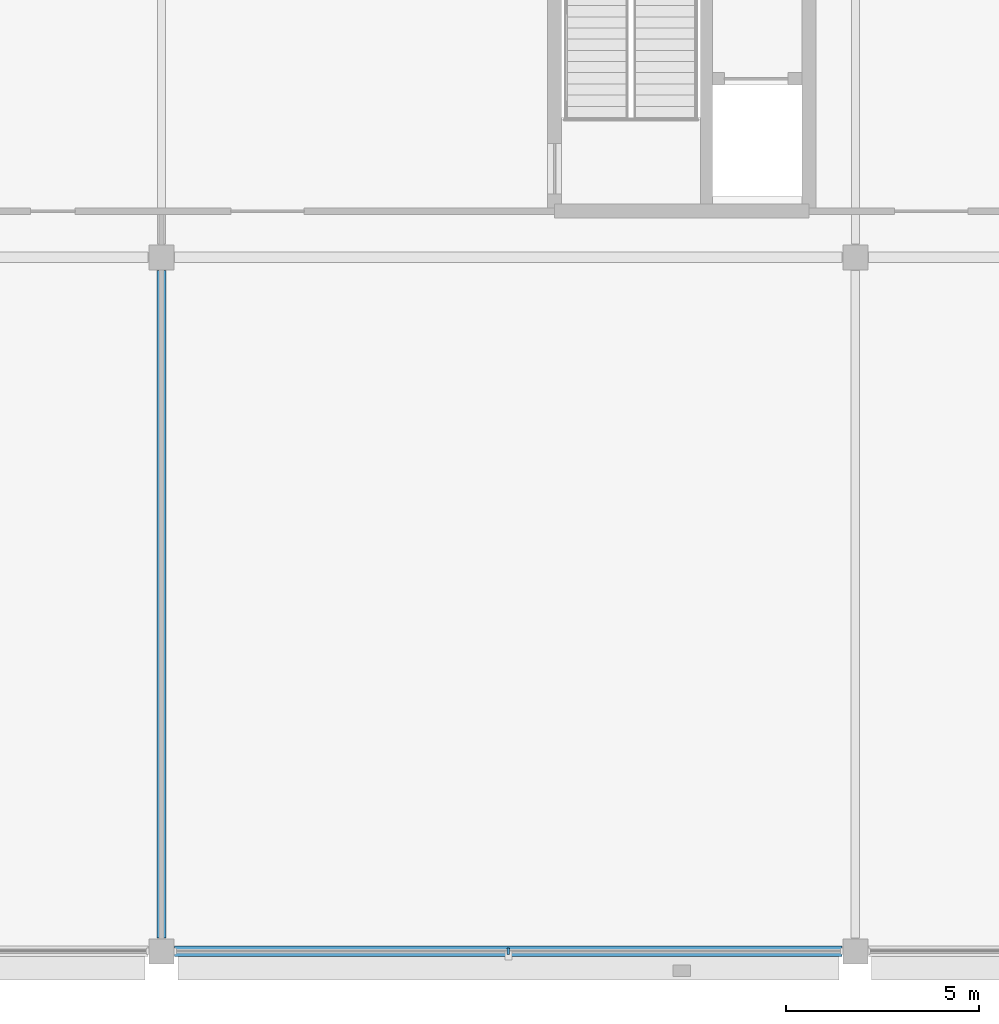
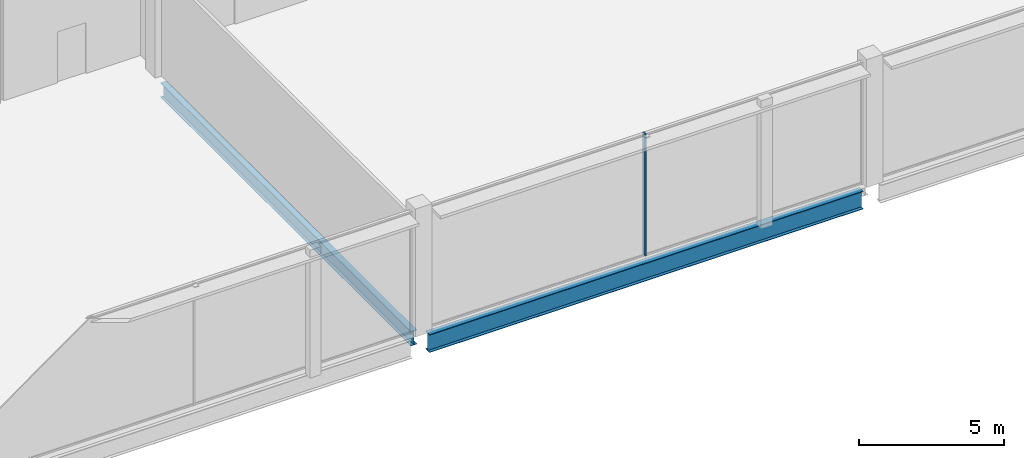
# One storey, part 22 of 113: 2 beams, 1 member, 1 element without a shape of its own.
"""IFC4 building model written with IfcOpenShell, lengths in metres."""

from ifc_helpers import new_model, si_unit, direction, frame, origin, origin_2d, place, context, subcontext, project, spatial, rectangle, i_section, extrude, material, layer, layer_set, material_profile, profile_set, type_object, element, aggregate, save


model = new_model("IFC4")

# Units and contexts
model_context = context("Model", 3, precision=1e-05, world=origin(), true_north=direction((0.0, 1.0)))
body_context = subcontext(model_context, "Body", "Model", "MODEL_VIEW")
ifc_project = project(units=[si_unit("LENGTHUNIT", "METRE"), si_unit("AREAUNIT", "SQUARE_METRE"), si_unit("VOLUMEUNIT", "CUBIC_METRE"), si_unit("PLANEANGLEUNIT", "RADIAN"), si_unit("MASSUNIT", "GRAM", prefix="KILO")], contexts=[model_context])

# Site, building, storey
site_placement = place(None, origin())
site = spatial("IfcSite", under=ifc_project, at=site_placement, CompositionType="ELEMENT")
building_placement = place(site_placement, origin())
building = spatial("IfcBuilding", under=site, at=building_placement, Name="Kisiwana Market Hall", CompositionType="ELEMENT")
storey_placement = place(building_placement, frame((0.0, 0.0, 6.0)))
storey = spatial("IfcBuildingStorey", under=building, at=storey_placement, Name="L01", CompositionType="ELEMENT", Elevation=6.0)

# Beams
ifc_material_1 = material(Name="Steel S355", Category="steel")
ifc_material_profile_1 = material_profile(ifc_material_1, i_section(OverallWidth=0.22900390625, OverallDepth=0.6123046875, WebThickness=0.011962890625, FlangeThickness=0.01953125, at=origin_2d()), Name="UB 610x229x125")
ifc_profile_set_1 = profile_set([ifc_material_profile_1], Name="Steel S355")
beam_type_1 = type_object("IfcBeamType", Name="BM-GIRD-UB610H", PredefinedType="BEAM", material=ifc_profile_set_1)
beam_1_placement = place(storey_placement, frame((117.0, 0.345947265625, -0.55615234375), z_axis=(0.0, 1.0, 0.0), x_axis=(-1.0, 0.0, 0.0)))
element("IfcBeam", 1, at=beam_1_placement, inside=storey, type_object=beam_type_1, Name="Primary girder B-0379", PredefinedType="BEAM", context=body_context, shape_type="SweptSolid", body=[
    extrude(i_section(OverallWidth=0.22900390625, OverallDepth=0.6123046875, WebThickness=0.011962890625, FlangeThickness=0.01953125, at=origin_2d()), origin(), (0.0, 0.0, 1.0), 17.30810546875),
])
ifc_material_2 = material(Name="Steel S355", Category="steel")
ifc_material_profile_2 = material_profile(ifc_material_2, i_section(OverallWidth=0.2666015625, OverallDepth=0.76220703125, WebThickness=0.014404296875, FlangeThickness=0.021484375, at=origin_2d()), Name="UB 762x267x173")
ifc_profile_set_2 = profile_set([ifc_material_profile_2], Name="Steel S355")
beam_type_2 = type_object("IfcBeamType", Name="BM-GIRD-UB762", PredefinedType="BEAM", material=ifc_profile_set_2)
beam_2_placement = place(storey_placement, frame((117.345947265625, 0.0, -0.631103515625), z_axis=(1.0, 0.0, 0.0), x_axis=(0.0, 1.0, 0.0)))
element("IfcBeam", 2, at=beam_2_placement, inside=storey, type_object=beam_type_2, Name="Floor beam B-0457", PredefinedType="BEAM", context=body_context, shape_type="SweptSolid", body=[
    extrude(i_section(OverallWidth=0.2666015625, OverallDepth=0.76220703125, WebThickness=0.014404296875, FlangeThickness=0.021484375, at=origin_2d()), origin(), (0.0, 0.0, 1.0), 17.30810546875),
])

# Curtain wall, member
ifc_material_3 = material(Name="Double-glazed solar-control low-E IGU", Category="glass")
ifc_layer = layer(ifc_material_3, 0.159912109375)
ifc_layer_set = layer_set([ifc_layer], Name="CW-FC-S-7600")
curtain_wall_type = type_object("IfcCurtainWallType", Name="CW-FC-S-7600", PredefinedType="USERDEFINED", material=ifc_layer_set)
curtain_wall_placement = place(storey_placement, origin())
curtain_wall = element("IfcCurtainWall", 3, at=curtain_wall_placement, inside=storey, type_object=curtain_wall_type, Name="Unitised curtain wall CW-012 (L01)", ObjectType="UNITISED CURTAIN WALL", PredefinedType="USERDEFINED")
ifc_material_4 = material(Name="Aluminium alloy 6063-T6", Category="aluminium")
ifc_material_profile_3 = material_profile(ifc_material_4, rectangle(XDim=0.06005859375, YDim=0.159912109375, at=origin_2d()), Name="ALU MULLION 60x160")
ifc_profile_set_3 = profile_set([ifc_material_profile_3], Name="Aluminium alloy 6063-T6")
member_type = type_object("IfcMemberType", Name="CW-MULL-60x160", PredefinedType="MULLION", material=ifc_profile_set_3)
member_placement = place(storey_placement, frame((126.0, 0.0, 0.0), z_axis=(0.0, 0.0, 1.0), x_axis=(1.0, 0.0, 0.0)))
member = element("IfcMember", 4, at=member_placement, type_object=member_type, Name="CW-012 mullion 2", PredefinedType="MULLION", context=body_context, shape_type="SweptSolid", body=[
    extrude(rectangle(XDim=0.06005859375, YDim=0.159912109375, at=origin_2d()), origin(), (0.0, 0.0, 1.0), 5.14990234375),
])
aggregate(curtain_wall, [member])

save(model, "model.ifc")
